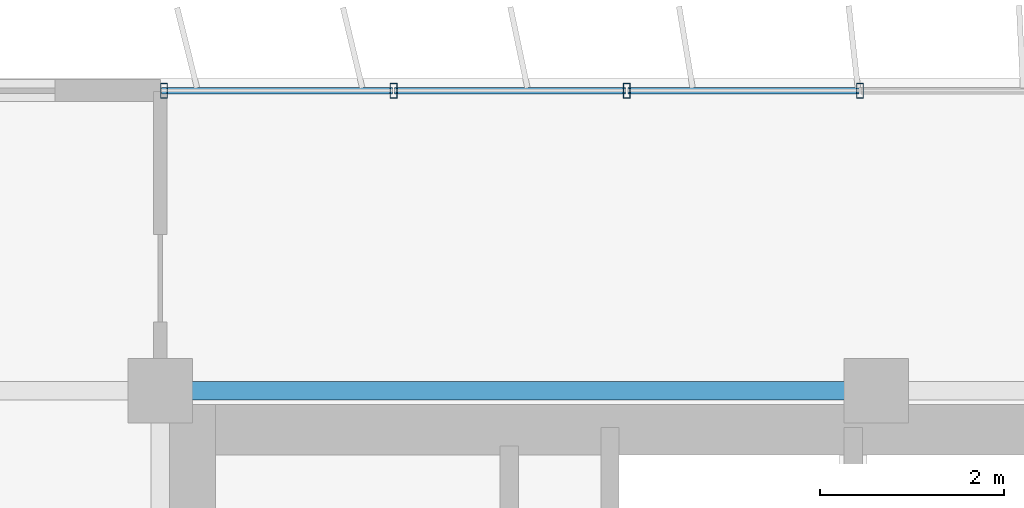
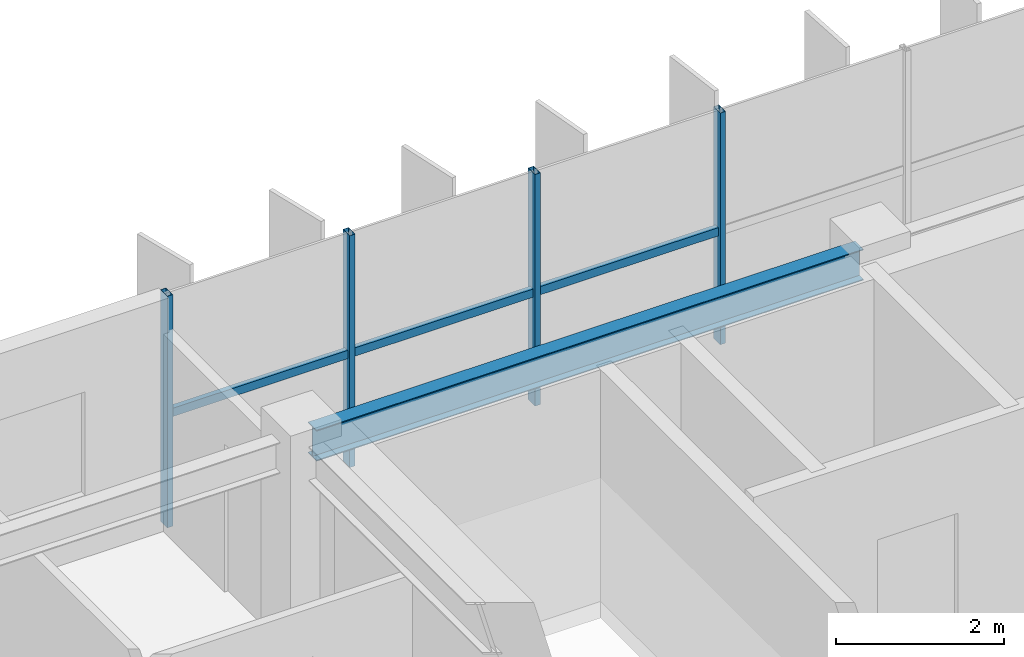
# One storey, part 6 of 23: 7 members, 1 beam, 1 element without a shape of its own.
"""IFC4 building model written with IfcOpenShell, lengths in metres."""

from ifc_helpers import new_model, si_unit, direction, frame, origin, origin_2d, place, context, subcontext, project, spatial, hollow_rectangle, i_section, extrude, source, transform, mapped, material, material_profile, profile_set, type_object, element, aggregate, save


model = new_model("IFC4")

# Units and contexts
model_context = context("Model", 3, precision=1e-05, world=origin(), true_north=direction((0.0, 1.0)))
body_context = subcontext(model_context, "Body", "Model", "MODEL_VIEW")
ifc_project = project(units=[si_unit("LENGTHUNIT", "METRE"), si_unit("AREAUNIT", "SQUARE_METRE"), si_unit("VOLUMEUNIT", "CUBIC_METRE"), si_unit("PLANEANGLEUNIT", "RADIAN"), si_unit("MASSUNIT", "GRAM", prefix="KILO")], contexts=[model_context])

# Site, building, storey
site_placement = place(None, origin())
site = spatial("IfcSite", under=ifc_project, at=site_placement, CompositionType="ELEMENT")
building_placement = place(site_placement, origin())
building = spatial("IfcBuilding", under=site, at=building_placement, Name="Trelvane Seafront Commons", CompositionType="ELEMENT")
storey_placement = place(building_placement, frame((0.0, 0.0, 212.10009765625)))
storey = spatial("IfcBuildingStorey", under=building, at=storey_placement, Name="L55", CompositionType="ELEMENT", Elevation=212.10009765625)

# Beam
ifc_material_1 = material(Name="Steel SM355 (S355)", Category="steel")
ifc_material_profile_1 = material_profile(ifc_material_1, i_section(OverallWidth=0.199951171875, OverallDepth=0.449951171875, WebThickness=0.009033203125, FlangeThickness=0.013916015625, at=origin_2d()), Name="H-450x200x9x14")
ifc_profile_set_1 = profile_set([ifc_material_profile_1], Name="Steel SM355 (S355)")
beam_type = type_object("IfcBeamType", Name="STR-SPD-H450", PredefinedType="SPANDREL", material=ifc_profile_set_1)
shared_shape_1 = source(origin(), body_context, "Body", "SweptSolid", [
    extrude(i_section(OverallWidth=0.199951171875, OverallDepth=0.449951171875, WebThickness=0.009033203125, FlangeThickness=0.013916015625, at=origin_2d()), origin(), (0.0, 0.0, 1.0), 7.5),
])
beam_placement = place(storey_placement, frame((15.75, 45.10009765625, 3.135009765625), z_axis=(1.0, 0.0, 0.0), x_axis=(0.0, 1.0, 0.0)))
element("IfcBeam", 1, at=beam_placement, inside=storey, type_object=beam_type, Name="L55 Primary Girder G-23", PredefinedType="SPANDREL", context=body_context, shape_type="MappedRepresentation", body=[
    mapped(shared_shape_1, transform((0.0, 0.0, 0.0), x_axis=(1.0, 0.0, 0.0), y_axis=(0.0, 1.0, 0.0), z_axis=(0.0, 0.0, 1.0), scale=1.0)),
])

# Curtain wall, members
ifc_material_2 = material(Name="Anodised pale-silver aluminium", Category="aluminium")
curtain_wall_type = type_object("IfcCurtainWallType", Name="ARCH-CW5-UPTOWER", PredefinedType="NOTDEFINED", material=ifc_material_2)
curtain_wall_placement = place(storey_placement, origin())
curtain_wall = element("IfcCurtainWall", 2, at=curtain_wall_placement, inside=storey, type_object=curtain_wall_type, Name="CW-L55-0098", PredefinedType="NOTDEFINED")
ifc_material_profile_2 = material_profile(ifc_material_2, hollow_rectangle(XDim=0.070068359375, YDim=0.1201171875, WallThickness=0.00390625, at=origin_2d()), Name="TRAN-70x120x4")
ifc_profile_set_2 = profile_set([ifc_material_profile_2], Name="Anodised pale-silver aluminium")
member_type_1 = type_object("IfcMemberType", Name="ARCH-CW-TRAN-120", PredefinedType="USERDEFINED", material=ifc_profile_set_2)
shared_shape_2 = source(origin(), body_context, "Body", "SweptSolid", [
    extrude(hollow_rectangle(XDim=0.070068359375, YDim=0.1201171875, WallThickness=0.00390625, at=origin_2d()), origin(), (0.0, 0.0, 1.0), 2.51708984375),
])
member_1_placement = place(storey_placement, frame((15.612060546875, 48.3701171875, 1.61279296875), z_axis=(1.0, 0.0, 0.0), x_axis=(0.0, 1.0, 0.0)))
member_1 = element("IfcMember", 3, at=member_1_placement, type_object=member_type_1, Name="CW-L55-0098-T00", ObjectType="TRANSOM", PredefinedType="USERDEFINED", context=body_context, shape_type="MappedRepresentation", body=[
    mapped(shared_shape_2, transform((0.0, 0.0, 0.0), x_axis=(1.0, 0.0, 0.0), y_axis=(0.0, 1.0, 0.0), z_axis=(0.0, 0.0, 1.0), scale=1.0)),
])
member_2_placement = place(storey_placement, frame((18.1533203125, 48.3701171875, 1.61279296875), z_axis=(1.0, 0.0, 0.0), x_axis=(0.0, 1.0, 0.0)))
member_2 = element("IfcMember", 4, at=member_2_placement, type_object=member_type_1, Name="CW-L55-0098-T01", ObjectType="TRANSOM", PredefinedType="USERDEFINED", context=body_context, shape_type="MappedRepresentation", body=[
    mapped(shared_shape_2, transform((0.0, 0.0, 0.0), x_axis=(1.0, 0.0, 0.0), y_axis=(0.0, 1.0, 0.0), z_axis=(0.0, 0.0, 1.0), scale=1.0)),
])
member_3_placement = place(storey_placement, frame((20.6943359375, 48.3701171875, 1.61279296875), z_axis=(1.0, 0.0, 0.0), x_axis=(0.0, 1.0, 0.0)))
member_3 = element("IfcMember", 5, at=member_3_placement, type_object=member_type_1, Name="CW-L55-0098-T02", ObjectType="TRANSOM", PredefinedType="USERDEFINED", context=body_context, shape_type="MappedRepresentation", body=[
    mapped(shared_shape_2, transform((0.0, 0.0, 0.0), x_axis=(1.0, 0.0, 0.0), y_axis=(0.0, 1.0, 0.0), z_axis=(0.0, 0.0, 1.0), scale=1.0)),
])
ifc_material_profile_3 = material_profile(ifc_material_2, hollow_rectangle(XDim=0.074951171875, YDim=0.159912109375, WallThickness=0.00390625, at=origin_2d()), Name="MULL-75x160x4")
ifc_profile_set_3 = profile_set([ifc_material_profile_3], Name="Anodised pale-silver aluminium")
member_type_2 = type_object("IfcMemberType", Name="ARCH-CW-MULL-160", PredefinedType="MULLION", material=ifc_profile_set_3)
shared_shape_3 = source(origin(), body_context, "Body", "SweptSolid", [
    extrude(hollow_rectangle(XDim=0.074951171875, YDim=0.159912109375, WallThickness=0.00390625, at=origin_2d()), origin(), (0.0, 0.0, 1.0), 3.35986328125),
])
member_4_placement = place(storey_placement, frame((15.639892578125, 48.3701171875, 0.0), z_axis=(0.0, 0.0, 1.0), x_axis=(1.0, 0.0, 0.0)))
member_4 = element("IfcMember", 6, at=member_4_placement, type_object=member_type_2, Name="CW-L55-0098-M00", PredefinedType="MULLION", context=body_context, shape_type="MappedRepresentation", body=[
    mapped(shared_shape_3, transform((0.0, 0.0, 0.0), x_axis=(1.0, 0.0, 0.0), y_axis=(0.0, 1.0, 0.0), z_axis=(0.0, 0.0, 1.0), scale=1.0)),
])
member_5_placement = place(storey_placement, frame((18.14111328125, 48.3701171875, 0.0), z_axis=(0.0, 0.0, 1.0), x_axis=(1.0, 0.0, 0.0)))
member_5 = element("IfcMember", 7, at=member_5_placement, type_object=member_type_2, Name="CW-L55-0098-M01", PredefinedType="MULLION", context=body_context, shape_type="MappedRepresentation", body=[
    mapped(shared_shape_3, transform((0.0, 0.0, 0.0), x_axis=(1.0, 0.0, 0.0), y_axis=(0.0, 1.0, 0.0), z_axis=(0.0, 0.0, 1.0), scale=1.0)),
])
member_6_placement = place(storey_placement, frame((20.682373046875, 48.3701171875, 0.0), z_axis=(0.0, 0.0, 1.0), x_axis=(1.0, 0.0, 0.0)))
member_6 = element("IfcMember", 8, at=member_6_placement, type_object=member_type_2, Name="CW-L55-0098-M02", PredefinedType="MULLION", context=body_context, shape_type="MappedRepresentation", body=[
    mapped(shared_shape_3, transform((0.0, 0.0, 0.0), x_axis=(1.0, 0.0, 0.0), y_axis=(0.0, 1.0, 0.0), z_axis=(0.0, 0.0, 1.0), scale=1.0)),
])
member_7_placement = place(storey_placement, frame((23.223388671875, 48.3701171875, 0.0), z_axis=(0.0, 0.0, 1.0), x_axis=(1.0, 0.0, 0.0)))
member_7 = element("IfcMember", 9, at=member_7_placement, type_object=member_type_2, Name="CW-L55-0098-M03", PredefinedType="MULLION", context=body_context, shape_type="MappedRepresentation", body=[
    mapped(shared_shape_3, transform((0.0, 0.0, 0.0), x_axis=(1.0, 0.0, 0.0), y_axis=(0.0, 1.0, 0.0), z_axis=(0.0, 0.0, 1.0), scale=1.0)),
])
aggregate(curtain_wall, [member_4, member_5, member_6, member_7, member_1, member_2, member_3])

save(model, "model.ifc")
